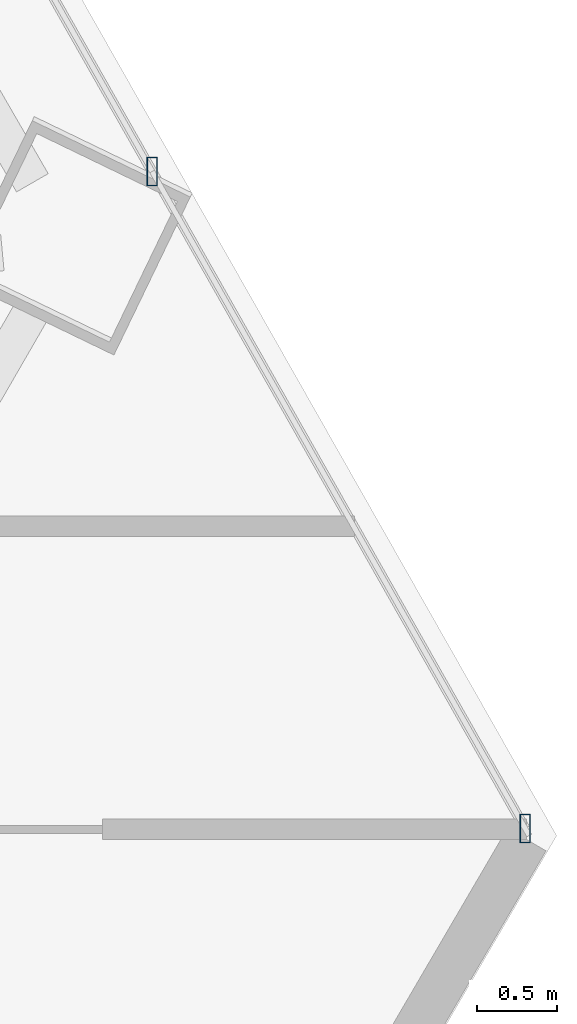
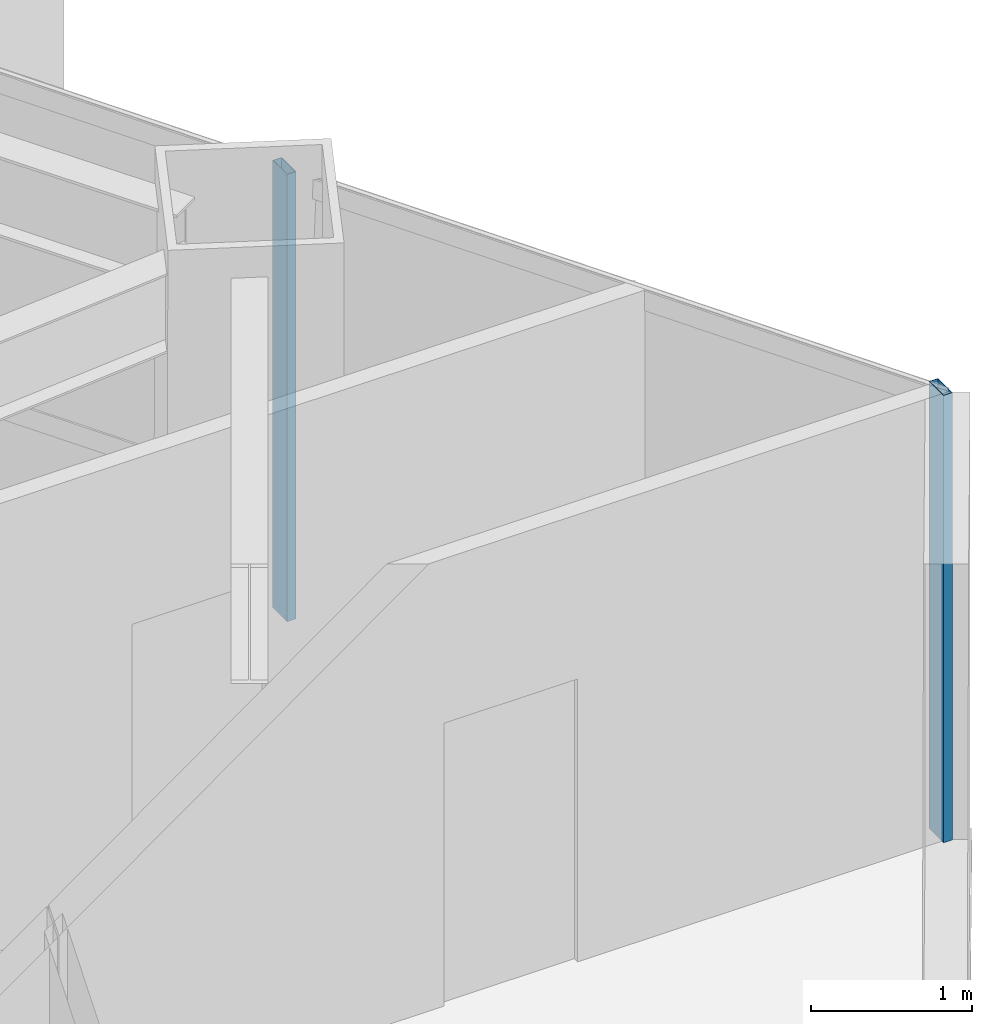
# One storey, part 20 of 37: 2 members, 1 element without a shape of its own.
"""IFC4 building model written with IfcOpenShell, lengths in metres."""

import ifcopenshell
import ifcopenshell.guid

model = None  # the IFC model being written
_history = None  # IfcOwnerHistory: only IFC2X3 demands one
_inside = {}  # id of a spatial element -> (the spatial element, [elements in it])
_under = {}  # id of a project, library or spatial element -> (it, [spatial elements below it])
_declared = {}  # id of a project -> (the project, [libraries it declares])
_typed = {}  # id of a type object -> (the type object, [elements of that type])
_made_of = {}  # id of a material, layer set ... -> (it, [elements and type objects made of it])


def new_model(schema):
    """Start an empty IFC model of exactly this schema.

    Asked for "IFC4X3", IfcOpenShell would pick the latest addendum, in which some entities
    have other attributes; the version numbers below select the first issue.
    IFC2X3 requires an IfcOwnerHistory on every rooted entity: one is made here for all.
    """
    global model, _history
    if schema == "IFC4X3":
        model = ifcopenshell.file(schema_version=(4, 3, 0, 0))
    else:
        model = ifcopenshell.file(schema=schema)
    _inside.clear()
    _under.clear()
    _declared.clear()
    _typed.clear()
    _made_of.clear()
    _history = None
    if model.schema == "IFC2X3":
        org = make("IfcOrganization", Name="unknown")
        user = make(
            "IfcPersonAndOrganization",
            ThePerson=make("IfcPerson", FamilyName="unknown"),
            TheOrganization=org,
        )
        app = make(
            "IfcApplication",
            ApplicationDeveloper=org,
            Version="unknown",
            ApplicationFullName="unknown",
            ApplicationIdentifier="unknown",
        )
        _history = make(
            "IfcOwnerHistory",
            OwningUser=user,
            OwningApplication=app,
            ChangeAction="ADDED",
            CreationDate=0,
        )
    return model


def make(cls, **values):
    """One entity of the class cls with the attributes given. An attribute that is None is left unset."""
    return model.create_entity(
        cls, **{name: value for name, value in values.items() if value is not None}
    )


def rooted(cls, **values):
    """An entity with a GlobalId (a new one), such as an element, a storey or a relation."""
    return make(cls, GlobalId=ifcopenshell.guid.new(), OwnerHistory=_history, **values)


def si_unit(unit_type, name, prefix=None):
    """IfcSIUnit, for example si_unit("LENGTHUNIT", "METRE", prefix="MILLI")."""
    return make("IfcSIUnit", UnitType=unit_type, Prefix=prefix, Name=name)


def assignment(units):
    """IfcUnitAssignment: the units of a project."""
    return None if units is None else make("IfcUnitAssignment", Units=units)


def point(xyz):
    """IfcCartesianPoint."""
    return None if xyz is None else make("IfcCartesianPoint", Coordinates=xyz)


def direction(xyz):
    """IfcDirection."""
    return None if xyz is None else make("IfcDirection", DirectionRatios=xyz)


def frame(location, z_axis=None, x_axis=None):
    """IfcAxis2Placement3D, a coordinate frame: its origin and axes. An axis left out is left unset."""
    return make(
        "IfcAxis2Placement3D",
        Location=point(location),
        Axis=direction(z_axis),
        RefDirection=direction(x_axis),
    )


def frame_2d(location, x_axis=None):
    """IfcAxis2Placement2D, a coordinate frame in the plane: its origin and x axis."""
    return make(
        "IfcAxis2Placement2D", Location=point(location), RefDirection=direction(x_axis)
    )


def origin():
    """The frame at (0, 0, 0) with its axes left unset."""
    return frame((0.0, 0.0, 0.0))


def origin_2d():
    """The frame at (0, 0) in the plane with its x axis left unset."""
    return frame_2d((0.0, 0.0))


def place(relative_to, where):
    """IfcLocalPlacement: puts the frame where relative to a parent placement (None: the world)."""
    return make(
        "IfcLocalPlacement", PlacementRelTo=relative_to, RelativePlacement=where
    )


def context(
    kind, dimensions, precision=None, world=None, true_north=None, identifier=None
):
    """IfcGeometricRepresentationContext, for example the 3D "Model" context."""
    return make(
        "IfcGeometricRepresentationContext",
        ContextIdentifier=identifier,
        ContextType=kind,
        CoordinateSpaceDimension=dimensions,
        Precision=precision,
        WorldCoordinateSystem=world,
        TrueNorth=true_north,
    )


def subcontext(parent, identifier, kind, view, scale=None):
    """IfcGeometricRepresentationSubContext, for example "Body" below "Model"."""
    return make(
        "IfcGeometricRepresentationSubContext",
        ContextIdentifier=identifier,
        ContextType=kind,
        ParentContext=parent,
        TargetScale=scale,
        TargetView=view,
    )


def project(units=None, contexts=None):
    """IfcProject with its units and contexts."""
    return rooted(
        "IfcProject",
        Name="project",
        RepresentationContexts=contexts,
        UnitsInContext=assignment(units),
    )


def spatial(cls, under=None, at=None, **own):
    """A site, building, storey or space (cls), placed at a placement, below another one or the project."""
    s = rooted(cls, ObjectPlacement=at, **own)
    if under is not None:
        _under.setdefault(under.id(), (under, []))[1].append(s)
    return s


def profile(cls, at=None, kind="AREA", **sizes):
    """A parametric profile (cls). Its sizes go by their IFC names, for example OverallWidth=200.0."""
    return make(cls, ProfileType=kind, Position=at, **sizes)


def hollow_rectangle(**sizes):
    """IfcRectangleHollowProfileDef."""
    return profile("IfcRectangleHollowProfileDef", **sizes)


def extrude(swept, where, along, depth):
    """IfcExtrudedAreaSolid: the profile swept, set in the frame where, extruded along a direction by depth."""
    return make(
        "IfcExtrudedAreaSolid",
        SweptArea=swept,
        Position=where,
        ExtrudedDirection=direction(along),
        Depth=depth,
    )


def shape(context_of_items, identifier, shape_type, items):
    """IfcShapeRepresentation: the items that make up one representation, for example the "Body"."""
    return make(
        "IfcShapeRepresentation",
        ContextOfItems=context_of_items,
        RepresentationIdentifier=identifier,
        RepresentationType=shape_type,
        Items=items,
    )


def source(mapping_origin, context_of_items, identifier, shape_type, items):
    """IfcRepresentationMap: a shape defined once, which mapped items show again and again."""
    return make(
        "IfcRepresentationMap",
        MappingOrigin=mapping_origin,
        MappedRepresentation=shape(context_of_items, identifier, shape_type, items),
    )


def transform(
    local_origin,
    x_axis=None,
    y_axis=None,
    z_axis=None,
    scale=None,
    scale2=None,
    scale3=None,
    uniform=True,
):
    """IfcCartesianTransformationOperator3D, or its non-uniform kind. x_axis, y_axis, z_axis: its Axis1, 2, 3."""
    if uniform:
        return make(
            "IfcCartesianTransformationOperator3D",
            Axis1=direction(x_axis),
            Axis2=direction(y_axis),
            LocalOrigin=point(local_origin),
            Scale=scale,
            Axis3=direction(z_axis),
        )
    return make(
        "IfcCartesianTransformationOperator3DnonUniform",
        Axis1=direction(x_axis),
        Axis2=direction(y_axis),
        LocalOrigin=point(local_origin),
        Scale=scale,
        Axis3=direction(z_axis),
        Scale2=scale2,
        Scale3=scale3,
    )


def mapped(mapping_source, mapping_target):
    """IfcMappedItem: shows the shape of a source again, moved by a transform."""
    return make(
        "IfcMappedItem", MappingSource=mapping_source, MappingTarget=mapping_target
    )


def material(Name=None, Category=None):
    """IfcMaterial."""
    return make("IfcMaterial", Name=Name, Category=Category)


def material_profile(
    of_material, cross_section, Name=None, Category=None, Priority=None
):
    """IfcMaterialProfile: a cross section and its material."""
    return make(
        "IfcMaterialProfile",
        Name=Name,
        Material=of_material,
        Profile=cross_section,
        Priority=Priority,
        Category=Category,
    )


def profile_set(profiles, Name=None, composite=None):
    """IfcMaterialProfileSet."""
    return make(
        "IfcMaterialProfileSet",
        Name=Name,
        MaterialProfiles=profiles,
        CompositeProfile=composite,
    )


def made_of(thing, what):
    """Note that an element or type object is made of a material, layer set ...; save() writes the relation."""
    if what is not None:
        _made_of.setdefault(what.id(), (what, []))[1].append(thing)
    return thing


def type_object(cls, material=None, **own):
    """A type object (cls), such as IfcWallType, which elements share."""
    return made_of(rooted(cls, **own), material)


def type_shapes(of_type, sources):
    """Give a type object the sources (RepresentationMaps) that its elements show as mapped items."""
    of_type.RepresentationMaps = sources


def element(
    cls,
    number,
    at=None,
    inside=None,
    cuts=None,
    type_object=None,
    material=None,
    context=None,
    identifier="Body",
    shape_type=None,
    held_by="IfcProductDefinitionShape",
    body=None,
    shapes=None,
    **own,
):
    """One element of the class cls, such as IfcWall. Its Tag is "e" and its number.

    at: its placement. inside: the storey or other place that contains it. cuts: it is an
    opening in that element (IfcRelVoidsElement). A single representation is given by context,
    identifier, shape_type and body (its items); several are given by shapes. held_by: the class
    of the entity that holds the representations. save() writes the other relations.
    """
    e = rooted(cls, Tag="e%d" % number, ObjectPlacement=at, **own)
    if body is not None:
        shapes = [shape(context, identifier, shape_type, body)]
    if shapes is not None:
        e.Representation = make(held_by, Representations=shapes)
    if inside is not None:
        _inside.setdefault(inside.id(), (inside, []))[1].append(e)
    if cuts is not None:
        rooted(
            "IfcRelVoidsElement", RelatingBuildingElement=cuts, RelatedOpeningElement=e
        )
    if type_object is not None:
        _typed.setdefault(type_object.id(), (type_object, []))[1].append(e)
    return made_of(e, material)


def aggregate(whole, parts):
    """IfcRelAggregates: a whole, such as a stair, and the parts it consists of."""
    return rooted("IfcRelAggregates", RelatingObject=whole, RelatedObjects=parts)


def save(model, path):
    """Write the relations noted so far, then the file.

    IfcRelAggregates (storeys below a building ...), IfcRelContainedInSpatialStructure (elements
    in a storey), IfcRelDefinesByType, IfcRelAssociatesMaterial and IfcRelDeclares: one each for
    every whole, place, type object, material and project.
    """
    for whole, parts in _under.values():
        aggregate(whole, parts)
    for where, things in _inside.values():
        rooted(
            "IfcRelContainedInSpatialStructure",
            RelatedElements=things,
            RelatingStructure=where,
        )
    for kind, things in _typed.values():
        rooted("IfcRelDefinesByType", RelatedObjects=things, RelatingType=kind)
    for what, things in _made_of.values():
        rooted("IfcRelAssociatesMaterial", RelatedObjects=things, RelatingMaterial=what)
    for by, libraries in _declared.values():
        rooted("IfcRelDeclares", RelatingContext=by, RelatedDefinitions=libraries)
    model.write(path)


model = new_model("IFC4")

# Units and contexts
model_context = context("Model", 3, precision=1e-05, world=origin(), true_north=direction((0.0, 1.0)))
body_context = subcontext(model_context, "Body", "Model", "MODEL_VIEW")
ifc_project = project(units=[si_unit("LENGTHUNIT", "METRE"), si_unit("AREAUNIT", "SQUARE_METRE"), si_unit("VOLUMEUNIT", "CUBIC_METRE"), si_unit("PLANEANGLEUNIT", "RADIAN"), si_unit("MASSUNIT", "GRAM", prefix="KILO")], contexts=[model_context])

# Site, building, storey
site_placement = place(None, origin())
site = spatial("IfcSite", under=ifc_project, at=site_placement, CompositionType="ELEMENT")
building_placement = place(site_placement, origin())
building = spatial("IfcBuilding", under=site, at=building_placement, Name="Caelisora Broadcast Tower", CompositionType="ELEMENT")
storey_placement = place(building_placement, frame((0.0, 0.0, 120.0)))
storey = spatial("IfcBuildingStorey", under=building, at=storey_placement, Name="L31", CompositionType="ELEMENT", Elevation=120.0)

# Curtain wall, members
ifc_material_1 = material(Name="Unitised Aluminium and Low-E Glass Curtain Wall", Category="glass")
curtain_wall_type = type_object("IfcCurtainWallType", Name="CW-Z2", PredefinedType="NOTDEFINED", material=ifc_material_1)
curtain_wall_placement = place(storey_placement, origin())
curtain_wall = element("IfcCurtainWall", 1, at=curtain_wall_placement, inside=storey, type_object=curtain_wall_type, Name="L31 curtain wall CW-Z2", PredefinedType="NOTDEFINED")
ifc_material_2 = material(Name="Aluminium 6063-T6 Anodised Terracotta Bronze", Category="aluminium")
ifc_material_profile = material_profile(ifc_material_2, hollow_rectangle(XDim=0.06494140625, YDim=0.179931640625, WallThickness=0.00341796875, at=origin_2d()), Name="Aluminium 6063-T6 Anodised Terracotta Bronze")
ifc_profile_set = profile_set([ifc_material_profile], Name="Aluminium 6063-T6 Anodised Terracotta Bronze")
member_type = type_object("IfcMemberType", Name="CWM-02", PredefinedType="MULLION", material=ifc_profile_set)
shared_shape = source(origin(), body_context, "Body", "SweptSolid", [
    extrude(hollow_rectangle(XDim=0.06494140625, YDim=0.179931640625, WallThickness=0.00341796875, at=origin_2d()), origin(), (0.0, 0.0, 1.0), 3.39990234375),
])
type_shapes(member_type, [shared_shape])
member_1_placement = place(storey_placement, frame((61.464599609375, 19.32568359375, 0.0), z_axis=(0.0, 0.0, 1.0), x_axis=(1.0, 0.0, 0.0)))
member_1 = element("IfcMember", 2, at=member_1_placement, type_object=member_type, Name="L31-CW-B03 mullion #2", PredefinedType="MULLION", context=body_context, shape_type="MappedRepresentation", body=[
    mapped(shared_shape, transform((0.0, 0.0, 0.0), scale=1.0)),
])
member_2_placement = place(storey_placement, frame((63.80419921875, 15.20458984375, 0.0), z_axis=(0.0, 0.0, 1.0), x_axis=(1.0, 0.0, 0.0)))
member_2 = element("IfcMember", 3, at=member_2_placement, type_object=member_type, Name="L31-CW-B03 mullion #3", PredefinedType="MULLION", context=body_context, shape_type="MappedRepresentation", body=[
    mapped(shared_shape, transform((0.0, 0.0, 0.0), scale=1.0)),
])
aggregate(curtain_wall, [member_1, member_2])

save(model, "model.ifc")
